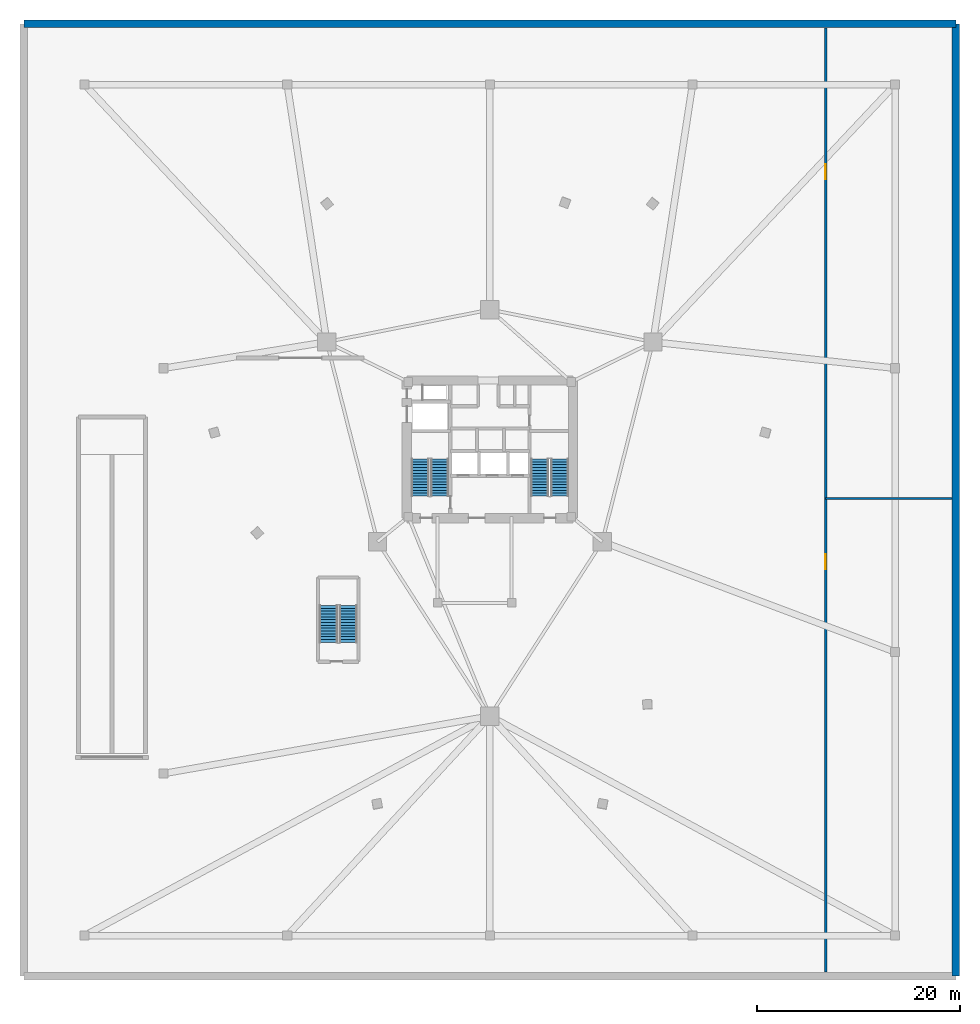
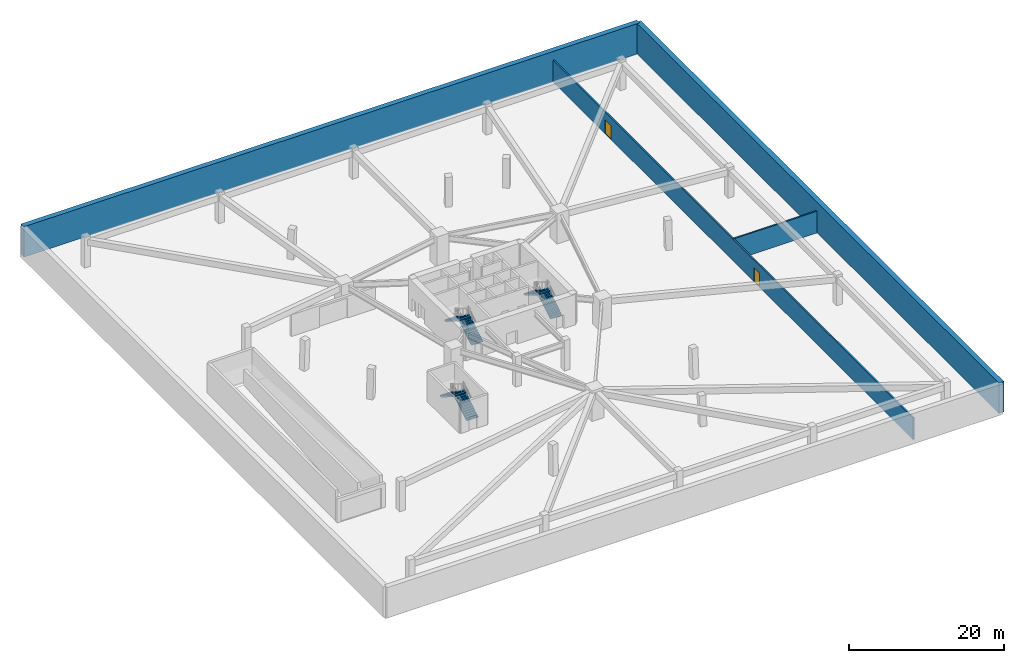
# One storey, part 6 of 7: 6 stair flights, 4 walls, 2 doors, 2 openings, 3 elements without a shape of their own.
"""IFC4 building model written with IfcOpenShell, lengths in metres."""

from ifc_helpers import new_model, si_unit, direction, frame, frame_2d, origin, place, context, subcontext, project, spatial, polyline, rectangle, outline, extrude, material, layer, layer_set, type_object, element, fill, aggregate, save


model = new_model("IFC4")

# Units and contexts
model_context = context("Model", 3, precision=1e-05, world=origin(), true_north=direction((0.0, 1.0)))
body_context = subcontext(model_context, "Body", "Model", "MODEL_VIEW")
ifc_project = project(units=[si_unit("LENGTHUNIT", "METRE"), si_unit("AREAUNIT", "SQUARE_METRE"), si_unit("VOLUMEUNIT", "CUBIC_METRE"), si_unit("PLANEANGLEUNIT", "RADIAN"), si_unit("MASSUNIT", "GRAM", prefix="KILO")], contexts=[model_context])

# Site, building, storey
site_placement = place(None, origin())
site = spatial("IfcSite", under=ifc_project, at=site_placement, CompositionType="ELEMENT")
building_placement = place(site_placement, origin())
building = spatial("IfcBuilding", under=site, at=building_placement, Name="Talyreon Biosciences Tower", CompositionType="ELEMENT")
storey_placement = place(building_placement, frame((0.0, 0.0, -4.800048828125)))
storey = spatial("IfcBuildingStorey", under=building, at=storey_placement, Name="B1", CompositionType="ELEMENT", Elevation=-4.800048828125)

# Walls
ifc_material_1 = material(Name="Concrete C50/60", Category="concrete")
ifc_layer_1 = layer(ifc_material_1, 0.75)
ifc_layer_set_1 = layer_set([ifc_layer_1], Name="Concrete C50/60")
wall_type_1 = type_object("IfcWallType", Name="BasementRetainingWall_750", PredefinedType="SOLIDWALL", material=ifc_layer_set_1)
wall_1_placement = place(storey_placement, frame((112.0, 16.0, 0.0), z_axis=(0.0, 0.0, 1.0), x_axis=(0.0, 1.0, 0.0)))
element("IfcWall", 1, at=wall_1_placement, inside=storey, type_object=wall_type_1, Name="B1 Watertight Retaining Wall E", PredefinedType="SOLIDWALL", context=body_context, shape_type="SweptSolid", body=[
    extrude(rectangle(XDim=94.0, YDim=0.75, at=frame_2d((47.0, 0.0))), origin(), (0.0, 0.0, 1.0), 4.800048828125),
])
wall_2_placement = place(storey_placement, frame((112.0, 110.0, 0.0), z_axis=(0.0, 0.0, 1.0), x_axis=(-1.0, 0.0, 0.0)))
element("IfcWall", 2, at=wall_2_placement, inside=storey, type_object=wall_type_1, Name="B1 Watertight Retaining Wall N", PredefinedType="SOLIDWALL", context=body_context, shape_type="SweptSolid", body=[
    extrude(rectangle(XDim=92.0, YDim=0.75, at=frame_2d((46.0, 0.0))), origin(), (0.0, 0.0, 1.0), 4.800048828125),
])

# Wall, openings, doors
ifc_material_2 = material(Name="Gypsum fireboard acoustic stud", Category="gypsum")
ifc_layer_2 = layer(ifc_material_2, 0.219970703125)
ifc_layer_set_2 = layer_set([ifc_layer_2], Name="Gypsum fireboard acoustic stud")
wall_type_2 = type_object("IfcWallType", Name="CorridorRatedPartition_220", PredefinedType="PARTITIONING", material=ifc_layer_set_2)
wall_3_placement = place(storey_placement, frame((99.14990234375, 16.39990234375, 0.0), z_axis=(0.0, 0.0, 1.0), x_axis=(0.0, 1.0, 0.0)))
wall_3 = element("IfcWall", 3, at=wall_3_placement, inside=storey, type_object=wall_type_2, Name="B1 Interior Wall IW-B1-EPLANT", PredefinedType="PARTITIONING", context=body_context, shape_type="SweptSolid", body=[
    extrude(rectangle(XDim=93.2001953125, YDim=0.219970703125, at=frame_2d((46.60009765625, 0.0))), origin(), (0.0, 0.0, 1.0), 3.429931640625),
])
opening_1_placement = place(wall_3_placement, frame((39.75, 0.0, 0.0)))
opening_1 = element("IfcOpeningElement", 4, at=opening_1_placement, cuts=wall_3, Name="Opening DR-B1-CH", PredefinedType="OPENING", context=body_context, shape_type="SweptSolid", body=[
    extrude(rectangle(XDim=1.5, YDim=2.199951171875, at=frame_2d((0.75, 1.10009765625))), frame((0.0, 0.119873046875, 0.0), z_axis=(0.0, -1.0, 0.0), x_axis=(1.0, 0.0, 0.0)), (0.0, 0.0, 1.0), 0.239990234375),
])
opening_2_placement = place(wall_3_placement, frame((78.25, 0.0, 0.0)))
opening_2 = element("IfcOpeningElement", 5, at=opening_2_placement, cuts=wall_3, Name="Opening DR-B1-GN", PredefinedType="OPENING", context=body_context, shape_type="SweptSolid", body=[
    extrude(rectangle(XDim=1.5, YDim=2.199951171875, at=frame_2d((0.75, 1.10009765625))), frame((0.0, 0.119873046875, 0.0), z_axis=(0.0, -1.0, 0.0), x_axis=(1.0, 0.0, 0.0)), (0.0, 0.0, 1.0), 0.239990234375),
])
ifc_material_3 = material(Name="Vision-panel steel laboratory fire door", Category="steel")
door_type = type_object("IfcDoorType", Name="WetLabDoubleLeafDoor_1500x2200", OperationType="DOUBLE_DOOR_SINGLE_SWING", PredefinedType="DOOR", material=ifc_material_3)
door_1_placement = place(opening_1_placement, origin())
door_1 = element("IfcDoor", 6, at=door_1_placement, inside=storey, type_object=door_type, Name="B1 Interior Door DR-B1-CH", OperationType="DOUBLE_DOOR_SINGLE_SWING", OverallHeight=2.199951171875, OverallWidth=1.5, PredefinedType="DOOR", context=body_context, shape_type="SweptSolid", body=[
    extrude(rectangle(XDim=1.5, YDim=2.199951171875, at=frame_2d((0.75, 1.10009765625))), frame((0.0, 0.02490234375, 0.0), z_axis=(0.0, -1.0, 0.0), x_axis=(1.0, 0.0, 0.0)), (0.0, 0.0, 1.0), 0.050048828125),
])
fill(opening_1, door_1)
door_2_placement = place(opening_2_placement, origin())
door_2 = element("IfcDoor", 7, at=door_2_placement, inside=storey, type_object=door_type, Name="B1 Interior Door DR-B1-GN", OperationType="DOUBLE_DOOR_SINGLE_SWING", OverallHeight=2.199951171875, OverallWidth=1.5, PredefinedType="DOOR", context=body_context, shape_type="SweptSolid", body=[
    extrude(rectangle(XDim=1.5, YDim=2.199951171875, at=frame_2d((0.75, 1.10009765625))), frame((0.0, 0.02490234375, 0.0), z_axis=(0.0, -1.0, 0.0), x_axis=(1.0, 0.0, 0.0)), (0.0, 0.0, 1.0), 0.050048828125),
])
fill(opening_2, door_2)

# Wall
wall_4_placement = place(storey_placement, frame((99.14990234375, 63.14990234375, 0.0), z_axis=(0.0, 0.0, 1.0), x_axis=(1.0, 0.0, 0.0)))
element("IfcWall", 8, at=wall_4_placement, inside=storey, type_object=wall_type_2, Name="B1 Interior Wall IW-B1-EDIV", PredefinedType="PARTITIONING", context=body_context, shape_type="SweptSolid", body=[
    extrude(rectangle(XDim=12.4501953125, YDim=0.219970703125, at=frame_2d((6.22509765625, 0.0))), origin(), (0.0, 0.0, 1.0), 3.429931640625),
])

# Stair, stair flights
ifc_material_4 = material(Name="Concrete C40/50", Category="concrete")
stair_type = type_object("IfcStairType", Name="DoglegEscapeStair_4800", PredefinedType="HALF_TURN_STAIR", material=ifc_material_4)
stair_1_placement = place(storey_placement, origin())
stair_1 = element("IfcStair", 9, at=stair_1_placement, inside=storey, type_object=stair_type, Name="B1 Core Escape Stair 1", PredefinedType="HALF_TURN_STAIR")
stair_flight_type = type_object("IfcStairFlightType", Name="PrecastStairFlight_4800", PredefinedType="STRAIGHT", material=ifc_material_4)
stair_flight_1_placement = place(storey_placement, frame((61.06005859375, 63.39990234375, 0.0), z_axis=(0.0, 0.0, 1.0), x_axis=(0.0, 1.0, 0.0)))
stair_flight_1 = element("IfcStairFlight", 10, at=stair_flight_1_placement, type_object=stair_flight_type, Name="ST-1 flight 1", NumberOfRisers=14, NumberOfTreads=13, PredefinedType="STRAIGHT", RiserHeight=0.171428571, TreadLength=0.28, context=body_context, shape_type="SweptSolid", body=[
    extrude(outline(polyline([(0.0, 0.0), (0.0, 0.17138671875), (0.280029296875, 0.17138671875), (0.280029296875, 0.3427734375), (0.56005859375, 0.3427734375), (0.56005859375, 0.514404296875), (0.840087890625, 0.514404296875), (0.840087890625, 0.685791015625), (1.1201171875, 0.685791015625), (1.1201171875, 0.857177734375), (1.39990234375, 0.857177734375), (1.39990234375, 1.028564453125), (1.679931640625, 1.028564453125), (1.679931640625, 1.199951171875), (1.9599609375, 1.199951171875), (1.9599609375, 1.371337890625), (2.239990234375, 1.371337890625), (2.239990234375, 1.54296875), (2.52001953125, 1.54296875), (2.52001953125, 1.71435546875), (2.800048828125, 1.71435546875), (2.800048828125, 1.8857421875), (3.080078125, 1.8857421875), (3.080078125, 2.05712890625), (3.360107421875, 2.05712890625), (3.360107421875, 2.228515625), (3.639892578125, 2.228515625), (3.639892578125, 2.39990234375), (3.639892578125, 2.052734375), (0.287109375, 0.0), (0.0, 0.0)])), frame((0.0, 0.8701171875, 0.0), z_axis=(0.0, -1.0, 0.0), x_axis=(1.0, 0.0, 0.0)), (0.0, 0.0, 1.0), 1.739990234375),
])
stair_flight_2_placement = place(storey_placement, frame((59.1201171875, 67.0400390625, 2.400146484375), z_axis=(0.0, 0.0, 1.0), x_axis=(0.0, -1.0, 0.0)))
stair_flight_2 = element("IfcStairFlight", 11, at=stair_flight_2_placement, type_object=stair_flight_type, Name="ST-1 flight 2", NumberOfRisers=14, NumberOfTreads=13, PredefinedType="STRAIGHT", RiserHeight=0.171428571, TreadLength=0.28, context=body_context, shape_type="SweptSolid", body=[
    extrude(outline(polyline([(0.0, 0.0), (0.0, 0.17138671875), (0.280029296875, 0.17138671875), (0.280029296875, 0.3427734375), (0.56005859375, 0.3427734375), (0.56005859375, 0.514404296875), (0.840087890625, 0.514404296875), (0.840087890625, 0.685791015625), (1.1201171875, 0.685791015625), (1.1201171875, 0.857177734375), (1.39990234375, 0.857177734375), (1.39990234375, 1.028564453125), (1.679931640625, 1.028564453125), (1.679931640625, 1.199951171875), (1.9599609375, 1.199951171875), (1.9599609375, 1.371337890625), (2.239990234375, 1.371337890625), (2.239990234375, 1.54296875), (2.52001953125, 1.54296875), (2.52001953125, 1.71435546875), (2.800048828125, 1.71435546875), (2.800048828125, 1.8857421875), (3.080078125, 1.8857421875), (3.080078125, 2.05712890625), (3.360107421875, 2.05712890625), (3.360107421875, 2.228515625), (3.639892578125, 2.228515625), (3.639892578125, 2.39990234375), (3.639892578125, 2.052734375), (0.287109375, 0.0), (0.0, 0.0)])), frame((0.0, 0.8701171875, 0.0), z_axis=(0.0, -1.0, 0.0), x_axis=(1.0, 0.0, 0.0)), (0.0, 0.0, 1.0), 1.739990234375),
])
aggregate(stair_1, [stair_flight_1, stair_flight_2])

stair_2_placement = place(storey_placement, origin())
stair_2 = element("IfcStair", 12, at=stair_2_placement, inside=storey, type_object=stair_type, Name="B1 Core Escape Stair 2", PredefinedType="HALF_TURN_STAIR")
stair_flight_3_placement = place(storey_placement, frame((72.8798828125, 63.39990234375, 0.0), z_axis=(0.0, 0.0, 1.0), x_axis=(0.0, 1.0, 0.0)))
stair_flight_3 = element("IfcStairFlight", 13, at=stair_flight_3_placement, type_object=stair_flight_type, Name="ST-2 flight 1", NumberOfRisers=14, NumberOfTreads=13, PredefinedType="STRAIGHT", RiserHeight=0.171428571, TreadLength=0.28, context=body_context, shape_type="SweptSolid", body=[
    extrude(outline(polyline([(0.0, 0.0), (0.0, 0.17138671875), (0.280029296875, 0.17138671875), (0.280029296875, 0.3427734375), (0.56005859375, 0.3427734375), (0.56005859375, 0.514404296875), (0.840087890625, 0.514404296875), (0.840087890625, 0.685791015625), (1.1201171875, 0.685791015625), (1.1201171875, 0.857177734375), (1.39990234375, 0.857177734375), (1.39990234375, 1.028564453125), (1.679931640625, 1.028564453125), (1.679931640625, 1.199951171875), (1.9599609375, 1.199951171875), (1.9599609375, 1.371337890625), (2.239990234375, 1.371337890625), (2.239990234375, 1.54296875), (2.52001953125, 1.54296875), (2.52001953125, 1.71435546875), (2.800048828125, 1.71435546875), (2.800048828125, 1.8857421875), (3.080078125, 1.8857421875), (3.080078125, 2.05712890625), (3.360107421875, 2.05712890625), (3.360107421875, 2.228515625), (3.639892578125, 2.228515625), (3.639892578125, 2.39990234375), (3.639892578125, 2.052734375), (0.287109375, 0.0), (0.0, 0.0)])), frame((0.0, 0.8701171875, 0.0), z_axis=(0.0, -1.0, 0.0), x_axis=(1.0, 0.0, 0.0)), (0.0, 0.0, 1.0), 1.739990234375),
])
stair_flight_4_placement = place(storey_placement, frame((70.93994140625, 67.0400390625, 2.400146484375), z_axis=(0.0, 0.0, 1.0), x_axis=(0.0, -1.0, 0.0)))
stair_flight_4 = element("IfcStairFlight", 14, at=stair_flight_4_placement, type_object=stair_flight_type, Name="ST-2 flight 2", NumberOfRisers=14, NumberOfTreads=13, PredefinedType="STRAIGHT", RiserHeight=0.171428571, TreadLength=0.28, context=body_context, shape_type="SweptSolid", body=[
    extrude(outline(polyline([(0.0, 0.0), (0.0, 0.17138671875), (0.280029296875, 0.17138671875), (0.280029296875, 0.3427734375), (0.56005859375, 0.3427734375), (0.56005859375, 0.514404296875), (0.840087890625, 0.514404296875), (0.840087890625, 0.685791015625), (1.1201171875, 0.685791015625), (1.1201171875, 0.857177734375), (1.39990234375, 0.857177734375), (1.39990234375, 1.028564453125), (1.679931640625, 1.028564453125), (1.679931640625, 1.199951171875), (1.9599609375, 1.199951171875), (1.9599609375, 1.371337890625), (2.239990234375, 1.371337890625), (2.239990234375, 1.54296875), (2.52001953125, 1.54296875), (2.52001953125, 1.71435546875), (2.800048828125, 1.71435546875), (2.800048828125, 1.8857421875), (3.080078125, 1.8857421875), (3.080078125, 2.05712890625), (3.360107421875, 2.05712890625), (3.360107421875, 2.228515625), (3.639892578125, 2.228515625), (3.639892578125, 2.39990234375), (3.639892578125, 2.052734375), (0.287109375, 0.0), (0.0, 0.0)])), frame((0.0, 0.8701171875, 0.0), z_axis=(0.0, -1.0, 0.0), x_axis=(1.0, 0.0, 0.0)), (0.0, 0.0, 1.0), 1.739990234375),
])
aggregate(stair_2, [stair_flight_3, stair_flight_4])

stair_3_placement = place(storey_placement, origin())
stair_3 = element("IfcStair", 15, at=stair_3_placement, inside=storey, type_object=stair_type, Name="B1 Podium Escape Stair 3", PredefinedType="HALF_TURN_STAIR")
stair_flight_5_placement = place(storey_placement, frame((52.010009765625, 48.949951171875, 0.0), z_axis=(0.0, 0.0, 1.0), x_axis=(0.0, 1.0, 0.0)))
stair_flight_5 = element("IfcStairFlight", 16, at=stair_flight_5_placement, type_object=stair_flight_type, Name="ST-3 flight 1", NumberOfRisers=14, NumberOfTreads=13, PredefinedType="STRAIGHT", RiserHeight=0.171428571, TreadLength=0.28, context=body_context, shape_type="SweptSolid", body=[
    extrude(outline(polyline([(0.0, 0.0), (0.0, 0.17138671875), (0.280029296875, 0.17138671875), (0.280029296875, 0.3427734375), (0.56005859375, 0.3427734375), (0.56005859375, 0.514404296875), (0.840087890625, 0.514404296875), (0.840087890625, 0.685791015625), (1.1201171875, 0.685791015625), (1.1201171875, 0.857177734375), (1.39990234375, 0.857177734375), (1.39990234375, 1.028564453125), (1.679931640625, 1.028564453125), (1.679931640625, 1.199951171875), (1.9599609375, 1.199951171875), (1.9599609375, 1.371337890625), (2.239990234375, 1.371337890625), (2.239990234375, 1.54296875), (2.52001953125, 1.54296875), (2.52001953125, 1.71435546875), (2.800048828125, 1.71435546875), (2.800048828125, 1.8857421875), (3.080078125, 1.8857421875), (3.080078125, 2.05712890625), (3.360107421875, 2.05712890625), (3.360107421875, 2.228515625), (3.639892578125, 2.228515625), (3.639892578125, 2.39990234375), (3.639892578125, 2.052734375), (0.287109375, 0.0), (0.0, 0.0)])), frame((0.0, 0.8701171875, 0.0), z_axis=(0.0, -1.0, 0.0), x_axis=(1.0, 0.0, 0.0)), (0.0, 0.0, 1.0), 1.739990234375),
])
stair_flight_6_placement = place(storey_placement, frame((50.070068359375, 52.590087890625, 2.400146484375), z_axis=(0.0, 0.0, 1.0), x_axis=(0.0, -1.0, 0.0)))
stair_flight_6 = element("IfcStairFlight", 17, at=stair_flight_6_placement, type_object=stair_flight_type, Name="ST-3 flight 2", NumberOfRisers=14, NumberOfTreads=13, PredefinedType="STRAIGHT", RiserHeight=0.171428571, TreadLength=0.28, context=body_context, shape_type="SweptSolid", body=[
    extrude(outline(polyline([(0.0, 0.0), (0.0, 0.17138671875), (0.280029296875, 0.17138671875), (0.280029296875, 0.3427734375), (0.56005859375, 0.3427734375), (0.56005859375, 0.514404296875), (0.840087890625, 0.514404296875), (0.840087890625, 0.685791015625), (1.1201171875, 0.685791015625), (1.1201171875, 0.857177734375), (1.39990234375, 0.857177734375), (1.39990234375, 1.028564453125), (1.679931640625, 1.028564453125), (1.679931640625, 1.199951171875), (1.9599609375, 1.199951171875), (1.9599609375, 1.371337890625), (2.239990234375, 1.371337890625), (2.239990234375, 1.54296875), (2.52001953125, 1.54296875), (2.52001953125, 1.71435546875), (2.800048828125, 1.71435546875), (2.800048828125, 1.8857421875), (3.080078125, 1.8857421875), (3.080078125, 2.05712890625), (3.360107421875, 2.05712890625), (3.360107421875, 2.228515625), (3.639892578125, 2.228515625), (3.639892578125, 2.39990234375), (3.639892578125, 2.052734375), (0.287109375, 0.0), (0.0, 0.0)])), frame((0.0, 0.8701171875, 0.0), z_axis=(0.0, -1.0, 0.0), x_axis=(1.0, 0.0, 0.0)), (0.0, 0.0, 1.0), 1.739990234375),
])
aggregate(stair_3, [stair_flight_5, stair_flight_6])

save(model, "model.ifc")
